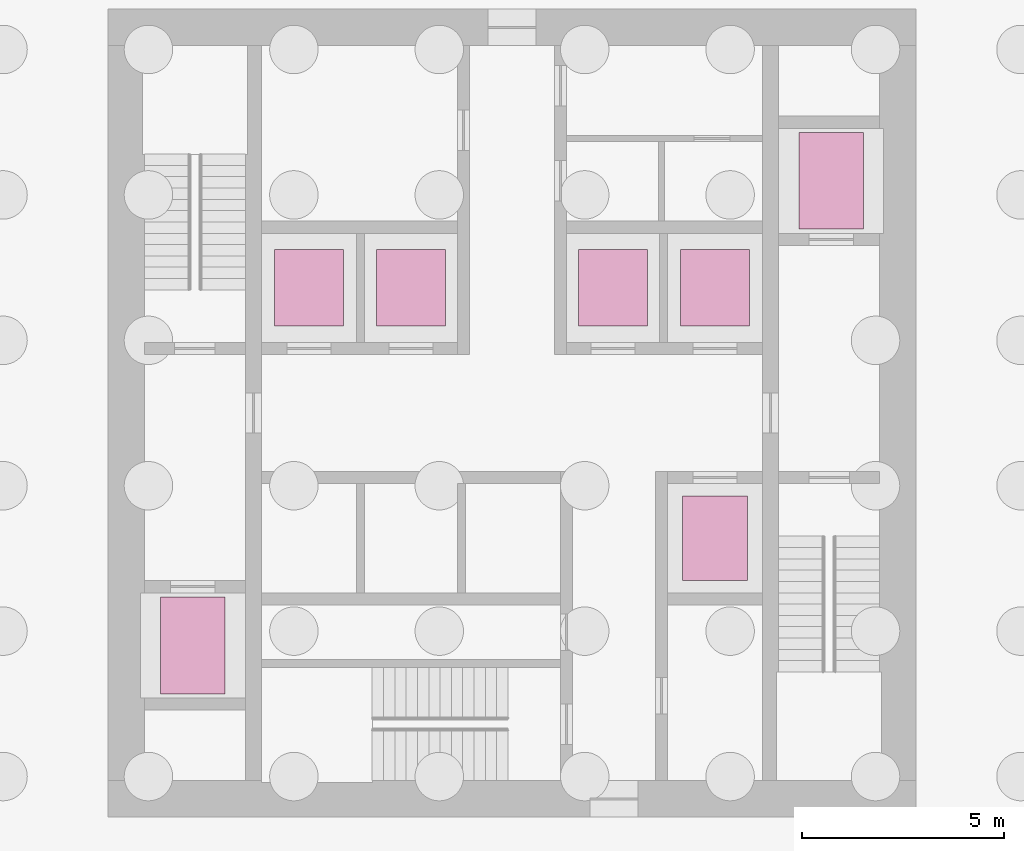
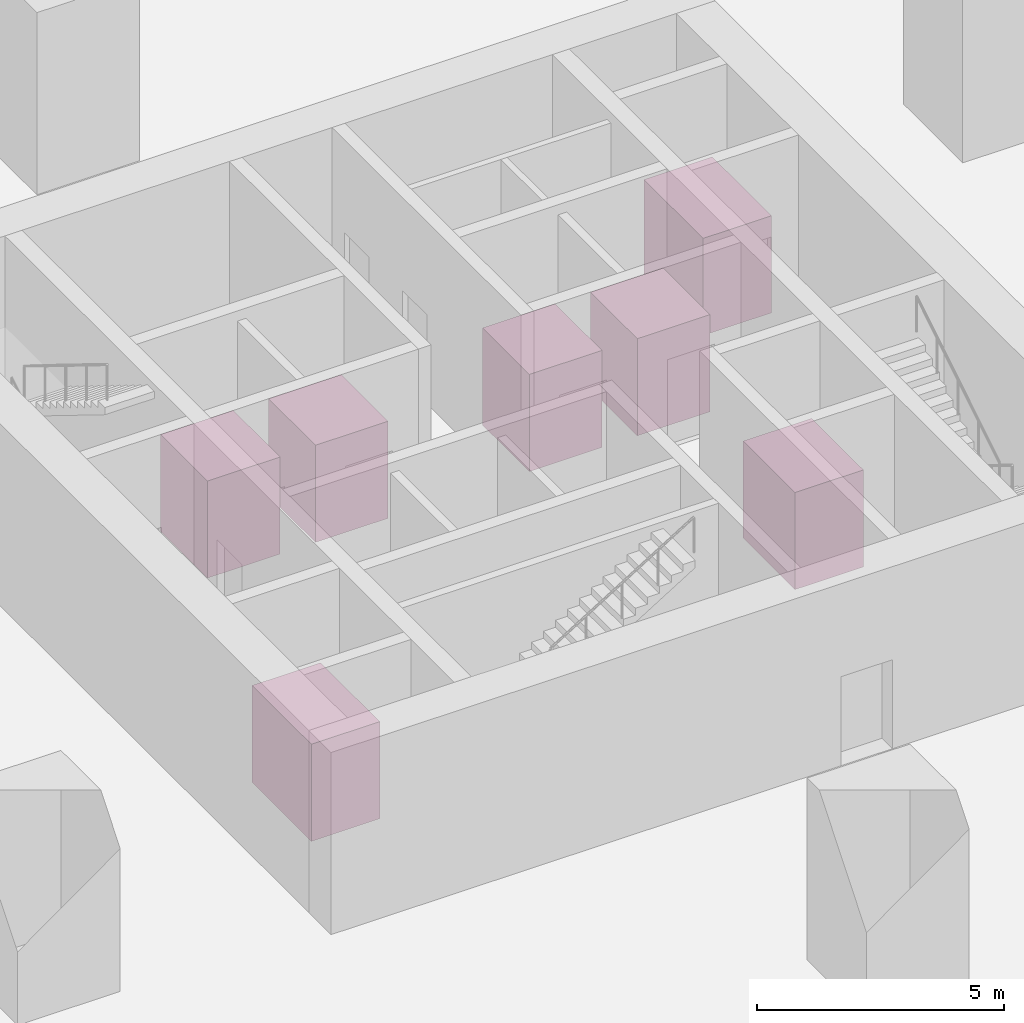
# One storey, part 12 of 12: 7 transport elements.
"""IFC4 building model written with IfcOpenShell, lengths in metres."""

from ifc_helpers import new_model, si_unit, direction, frame, origin, origin_2d, place, context, subcontext, project, spatial, rectangle, extrude, material, type_object, element, save


model = new_model("IFC4")

# Units and contexts
model_context = context("Model", 3, precision=1e-05, world=origin(), true_north=direction((0.0, 1.0)))
body_context = subcontext(model_context, "Body", "Model", "MODEL_VIEW")
ifc_project = project(units=[si_unit("LENGTHUNIT", "METRE"), si_unit("AREAUNIT", "SQUARE_METRE"), si_unit("VOLUMEUNIT", "CUBIC_METRE"), si_unit("PLANEANGLEUNIT", "RADIAN"), si_unit("MASSUNIT", "GRAM", prefix="KILO")], contexts=[model_context])

# Site, building, storey
site_placement = place(None, origin())
site = spatial("IfcSite", under=ifc_project, at=site_placement, CompositionType="ELEMENT")
building_placement = place(site_placement, origin())
building = spatial("IfcBuilding", under=site, at=building_placement, Name="Golbaran Civic Tower", CompositionType="ELEMENT")
storey_placement = place(building_placement, frame((0.0, 0.0, -13.5)))
storey = spatial("IfcBuildingStorey", under=building, at=storey_placement, Name="B3", CompositionType="ELEMENT", Elevation=-13.5)

# Transport elements
ifc_material = material(Name="Steel car, stainless steel finish", Category="steel")
transport_element_type_1 = type_object("IfcTransportElementType", Name="FIRE-FIGHTING LIFT 1600 KG", PredefinedType="ELEVATOR", material=ifc_material)
for number, where, z_axis, x_axis, name in (
    (1, (-7.89990234375, -5.75, 0.0), (0.0, 0.0, 1.0), (1.0, 0.0, 0.0), "Lift F1"),
    (2, (7.89990234375, 5.75, 0.0), (0.0, 0.0, 1.0), (1.0, 0.0, 0.0), "Lift F2"),
):
    element("IfcTransportElement", number, at=place(storey_placement, frame(where, z_axis=z_axis, x_axis=x_axis)), inside=storey, type_object=transport_element_type_1, Name=name, PredefinedType="ELEVATOR", context=body_context, shape_type="SweptSolid", body=[
        extrude(rectangle(XDim=1.60009765625, YDim=2.39990234375, at=origin_2d()), origin(), (0.0, 0.0, 1.0), 2.39990234375),
    ])
transport_element_type_2 = type_object("IfcTransportElementType", Name="PASSENGER LIFT 1350 KG", PredefinedType="ELEVATOR", material=ifc_material)
for number, where, z_axis, x_axis, name in (
    (3, (-5.02490234375, 3.10009765625, 0.0), (0.0, 0.0, 1.0), (1.0, 0.0, 0.0), "Lift Z1L"),
    (4, (-2.5, 3.10009765625, 0.0), (0.0, 0.0, 1.0), (1.0, 0.0, 0.0), "Lift Z2L"),
    (5, (2.5, 3.10009765625, 0.0), (0.0, 0.0, 1.0), (1.0, 0.0, 0.0), "Lift Z3L"),
    (6, (5.02490234375, 3.10009765625, 0.0), (0.0, 0.0, 1.0), (1.0, 0.0, 0.0), "Lift Z4L"),
):
    element("IfcTransportElement", number, at=place(storey_placement, frame(where, z_axis=z_axis, x_axis=x_axis)), inside=storey, type_object=transport_element_type_2, Name=name, PredefinedType="ELEVATOR", context=body_context, shape_type="SweptSolid", body=[
        extrude(rectangle(XDim=1.699951171875, YDim=1.89990234375, at=origin_2d()), origin(), (0.0, 0.0, 1.0), 2.39990234375),
    ])
transport_element_type_3 = type_object("IfcTransportElementType", Name="SERVICE LIFT 2000 KG", PredefinedType="ELEVATOR", material=ifc_material)
transport_element_placement = place(storey_placement, frame((5.02490234375, -3.10009765625, 0.0), z_axis=(0.0, 0.0, 1.0), x_axis=(1.0, 0.0, 0.0)))
element("IfcTransportElement", 7, at=transport_element_placement, inside=storey, type_object=transport_element_type_3, Name="Lift V1", PredefinedType="ELEVATOR", context=body_context, shape_type="SweptSolid", body=[
    extrude(rectangle(XDim=1.60009765625, YDim=2.10009765625, at=origin_2d()), origin(), (0.0, 0.0, 1.0), 2.39990234375),
])

save(model, "model.ifc")
